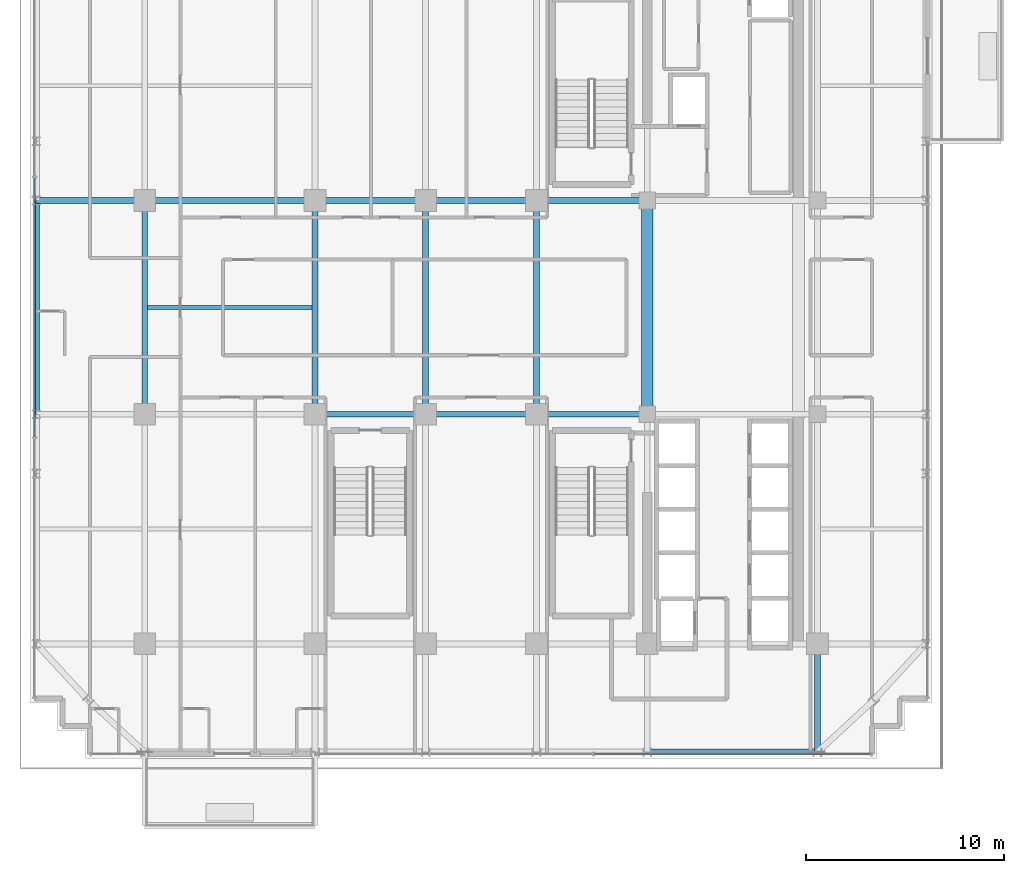
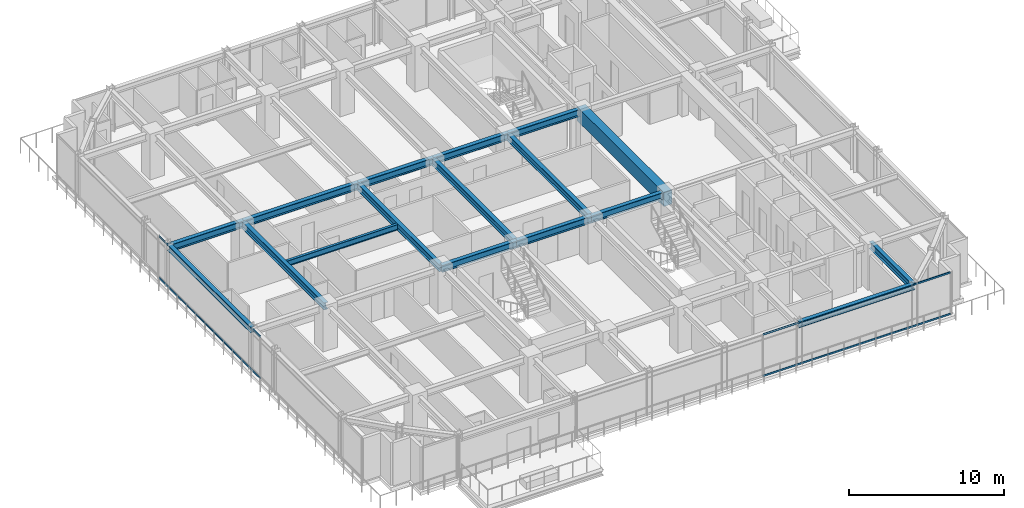
# One storey, part 8 of 33: 17 beams, 4 members, 2 elements without a shape of their own.
"""IFC4 building model written with IfcOpenShell, lengths in metres."""

from ifc_helpers import new_model, si_unit, direction, frame, origin, origin_2d, place, context, subcontext, project, spatial, rectangle, hollow_rectangle, i_section, extrude, source, transform, mapped, material, material_profile, profile_set, type_object, element, aggregate, save


model = new_model("IFC4")

# Units and contexts
model_context = context("Model", 3, precision=1e-05, world=origin(), true_north=direction((0.0, 1.0)))
body_context = subcontext(model_context, "Body", "Model", "MODEL_VIEW")
ifc_project = project(units=[si_unit("LENGTHUNIT", "METRE"), si_unit("AREAUNIT", "SQUARE_METRE"), si_unit("VOLUMEUNIT", "CUBIC_METRE"), si_unit("PLANEANGLEUNIT", "RADIAN"), si_unit("MASSUNIT", "GRAM", prefix="KILO")], contexts=[model_context])

# Site, building, storey
site_placement = place(None, origin())
site = spatial("IfcSite", under=ifc_project, at=site_placement, CompositionType="ELEMENT")
building_placement = place(site_placement, origin())
building = spatial("IfcBuilding", under=site, at=building_placement, Name="Nahalor Promenade Grand Hotel", CompositionType="ELEMENT")
storey_placement = place(building_placement, frame((0.0, 0.0, 149.0)))
storey = spatial("IfcBuildingStorey", under=building, at=storey_placement, Name="L37", CompositionType="ELEMENT", Elevation=149.0)

# Beams
ifc_material_1 = material(Name="Concrete B-60 (C50/60)", Category="concrete")
ifc_material_profile_1 = material_profile(ifc_material_1, rectangle(XDim=0.6, YDim=1.1, at=origin_2d()), Name="RC 600x1100")
ifc_profile_set_1 = profile_set([ifc_material_profile_1], Name="Concrete B-60 (C50/60)")
beam_type_1 = type_object("IfcBeamType", Name="Beam-Lintel-RC1100", PredefinedType="LINTEL", material=ifc_profile_set_1)
shared_shape_1 = source(origin(), body_context, "Body", "SweptSolid", [
    extrude(rectangle(XDim=0.6, YDim=1.1, at=origin_2d()), origin(), (0.0, 0.0, 1.0), 11.2001953125),
])
beam_1_placement = place(storey_placement, frame((8.39990234375, -5.60009765625, 2.840087890625), z_axis=(0.0, 1.0, 0.0), x_axis=(-1.0, 0.0, 0.0)))
element("IfcBeam", 1, at=beam_1_placement, inside=storey, type_object=beam_type_1, Name="BM-L37-LINT-W", PredefinedType="LINTEL", context=body_context, shape_type="MappedRepresentation", body=[
    mapped(shared_shape_1, transform((0.0, 0.0, 0.0), scale=1.0)),
])
ifc_material_2 = material(Name="Steel S355JR", Category="steel")
ifc_material_profile_2 = material_profile(ifc_material_2, i_section(OverallWidth=0.3, OverallDepth=0.55, WebThickness=0.015, FlangeThickness=0.029, at=origin_2d()), Name="HEB 550")
ifc_profile_set_2 = profile_set([ifc_material_profile_2], Name="Steel S355JR")
beam_type_2 = type_object("IfcBeamType", Name="Beam-Girder-HEB550", PredefinedType="BEAM", material=ifc_profile_set_2)
shared_shape_2 = source(origin(), body_context, "Body", "SweptSolid", [
    extrude(i_section(OverallWidth=0.3, OverallDepth=0.55, WebThickness=0.015, FlangeThickness=0.029, at=origin_2d()), origin(), (0.0, 0.0, 1.0), 8.60009765625),
])
beam_2_placement = place(storey_placement, frame((-17.0, 5.39990234375, 3.114990234375), z_axis=(1.0, 0.0, 0.0), x_axis=(0.0, 1.0, 0.0)))
element("IfcBeam", 2, at=beam_2_placement, inside=storey, type_object=beam_type_2, Name="BM-L37-GX-2-1", PredefinedType="BEAM", context=body_context, shape_type="MappedRepresentation", body=[
    mapped(shared_shape_2, transform((0.0, 0.0, 0.0), scale=1.0)),
])
shared_shape_3 = source(origin(), body_context, "Body", "SweptSolid", [
    extrude(i_section(OverallWidth=0.3, OverallDepth=0.55, WebThickness=0.015, FlangeThickness=0.029, at=origin_2d()), origin(), (0.0, 0.0, 1.0), 5.599853515625),
])
for number, where, z_axis, x_axis, name in (
    (3, (-8.39990234375, -5.39990234375, 3.114990234375), (1.0, 0.0, 0.0), (0.0, 1.0, 0.0), "BM-L37-GX-1-2"),
    (4, (2.800048828125, -5.39990234375, 3.114990234375), (1.0, 0.0, 0.0), (0.0, 1.0, 0.0), "BM-L37-GX-1-4"),
    (5, (-8.39990234375, 5.39990234375, 3.114990234375), (1.0, 0.0, 0.0), (0.0, 1.0, 0.0), "BM-L37-GX-2-2"),
    (6, (2.800048828125, 5.39990234375, 3.114990234375), (1.0, 0.0, 0.0), (0.0, 1.0, 0.0), "BM-L37-GX-2-4"),
):
    element("IfcBeam", number, at=place(storey_placement, frame(where, z_axis=z_axis, x_axis=x_axis)), inside=storey, type_object=beam_type_2, Name=name, PredefinedType="BEAM", context=body_context, shape_type="MappedRepresentation", body=[
        mapped(shared_shape_3, transform((0.0, 0.0, 0.0), scale=1.0)),
    ])
shared_shape_4 = source(origin(), body_context, "Body", "SweptSolid", [
    extrude(i_section(OverallWidth=0.3, OverallDepth=0.55, WebThickness=0.015, FlangeThickness=0.029, at=origin_2d()), origin(), (0.0, 0.0, 1.0), 5.60009765625),
])
for number, where, z_axis, x_axis, name in (
    (7, (-2.800048828125, -5.39990234375, 3.114990234375), (1.0, 0.0, 0.0), (0.0, 1.0, 0.0), "BM-L37-GX-1-3"),
    (8, (-2.800048828125, 5.39990234375, 3.114990234375), (1.0, 0.0, 0.0), (0.0, 1.0, 0.0), "BM-L37-GX-2-3"),
):
    element("IfcBeam", number, at=place(storey_placement, frame(where, z_axis=z_axis, x_axis=x_axis)), inside=storey, type_object=beam_type_2, Name=name, PredefinedType="BEAM", context=body_context, shape_type="MappedRepresentation", body=[
        mapped(shared_shape_4, transform((0.0, 0.0, 0.0), scale=1.0)),
    ])
shared_shape_5 = source(origin(), body_context, "Body", "SweptSolid", [
    extrude(i_section(OverallWidth=0.3, OverallDepth=0.55, WebThickness=0.015, FlangeThickness=0.029, at=origin_2d()), origin(), (0.0, 0.0, 1.0), 10.7998046875),
])
for number, where, z_axis, x_axis, name in (
    (9, (-17.0, -5.39990234375, 3.114990234375), (0.0, 1.0, 0.0), (-1.0, 0.0, 0.0), "BM-L37-GY-0-2"),
    (10, (-8.39990234375, -5.39990234375, 3.114990234375), (0.0, 1.0, 0.0), (-1.0, 0.0, 0.0), "BM-L37-GY-1-2"),
    (11, (-2.800048828125, -5.39990234375, 3.114990234375), (0.0, 1.0, 0.0), (-1.0, 0.0, 0.0), "BM-L37-GY-2-2"),
    (12, (2.800048828125, -5.39990234375, 3.114990234375), (0.0, 1.0, 0.0), (-1.0, 0.0, 0.0), "BM-L37-GY-3-2"),
):
    element("IfcBeam", number, at=place(storey_placement, frame(where, z_axis=z_axis, x_axis=x_axis)), inside=storey, type_object=beam_type_2, Name=name, PredefinedType="BEAM", context=body_context, shape_type="MappedRepresentation", body=[
        mapped(shared_shape_5, transform((0.0, 0.0, 0.0), scale=1.0)),
    ])
ifc_material_profile_3 = material_profile(ifc_material_2, i_section(OverallWidth=0.19, OverallDepth=0.45, WebThickness=0.0094, FlangeThickness=0.0146, at=origin_2d()), Name="IPE 450")
ifc_profile_set_3 = profile_set([ifc_material_profile_3], Name="Steel S355JR")
beam_type_3 = type_object("IfcBeamType", Name="Beam-Joist-IPE450", PredefinedType="JOIST", material=ifc_profile_set_3)
shared_shape_6 = source(origin(), body_context, "Body", "SweptSolid", [
    extrude(i_section(OverallWidth=0.19, OverallDepth=0.45, WebThickness=0.0094, FlangeThickness=0.0146, at=origin_2d()), origin(), (0.0, 0.0, 1.0), 8.300048828125),
])
beam_3_placement = place(storey_placement, frame((-16.85009765625, 0.0, 3.1650390625), z_axis=(1.0, 0.0, 0.0), x_axis=(0.0, 1.0, 0.0)))
element("IfcBeam", 13, at=beam_3_placement, inside=storey, type_object=beam_type_3, Name="BM-L37-JSC-0", PredefinedType="JOIST", context=body_context, shape_type="MappedRepresentation", body=[
    mapped(shared_shape_6, transform((0.0, 0.0, 0.0), scale=1.0)),
])
shared_shape_7 = source(origin(), body_context, "Body", "SweptSolid", [
    extrude(i_section(OverallWidth=0.3, OverallDepth=0.55, WebThickness=0.015, FlangeThickness=0.029, at=origin_2d()), origin(), (0.0, 0.0, 1.0), 5.47998046875),
])
for number, where, z_axis, x_axis, name in (
    (14, (-22.47998046875, 5.39990234375, 3.114990234375), (1.0, 0.0, 0.0), (0.0, 1.0, 0.0), "BM-L37-GX-2-0"),
    (15, (17.0, -22.47998046875, 3.114990234375), (0.0, 1.0, 0.0), (-1.0, 0.0, 0.0), "BM-L37-GY-5-0"),
):
    element("IfcBeam", number, at=place(storey_placement, frame(where, z_axis=z_axis, x_axis=x_axis)), inside=storey, type_object=beam_type_2, Name=name, PredefinedType="BEAM", context=body_context, shape_type="MappedRepresentation", body=[
        mapped(shared_shape_7, transform((0.0, 0.0, 0.0), scale=1.0)),
    ])
ifc_material_profile_4 = material_profile(ifc_material_2, i_section(OverallWidth=0.3, OverallDepth=0.45, WebThickness=0.014, FlangeThickness=0.026, at=origin_2d()), Name="HEB 450")
ifc_profile_set_4 = profile_set([ifc_material_profile_4], Name="Steel S355JR")
beam_type_4 = type_object("IfcBeamType", Name="Beam-Spandrel-HEB450", PredefinedType="SPANDREL", material=ifc_profile_set_4)
shared_shape_8 = source(origin(), body_context, "Body", "SweptSolid", [
    extrude(i_section(OverallWidth=0.3, OverallDepth=0.45, WebThickness=0.014, FlangeThickness=0.026, at=origin_2d()), origin(), (0.0, 0.0, 1.0), 8.60009765625),
])
beam_4_placement = place(storey_placement, frame((8.39990234375, -22.47998046875, 3.1650390625), z_axis=(1.0, 0.0, 0.0), x_axis=(0.0, 1.0, 0.0)))
element("IfcBeam", 16, at=beam_4_placement, inside=storey, type_object=beam_type_4, Name="BM-L37-SP-S-4", PredefinedType="SPANDREL", context=body_context, shape_type="MappedRepresentation", body=[
    mapped(shared_shape_8, transform((0.0, 0.0, 0.0), scale=1.0)),
])
shared_shape_9 = source(origin(), body_context, "Body", "SweptSolid", [
    extrude(i_section(OverallWidth=0.3, OverallDepth=0.45, WebThickness=0.014, FlangeThickness=0.026, at=origin_2d()), origin(), (0.0, 0.0, 1.0), 10.7998046875),
])
beam_5_placement = place(storey_placement, frame((-22.47998046875, -5.39990234375, 3.1650390625), z_axis=(0.0, 1.0, 0.0), x_axis=(-1.0, 0.0, 0.0)))
element("IfcBeam", 17, at=beam_5_placement, inside=storey, type_object=beam_type_4, Name="BM-L37-SP-W-2", PredefinedType="SPANDREL", context=body_context, shape_type="MappedRepresentation", body=[
    mapped(shared_shape_9, transform((0.0, 0.0, 0.0), scale=1.0)),
])

# Curtain wall, members
ifc_material_3 = material(Name="Anodised Bronze Aluminium EN AW-6063 T6", Category="aluminium")
curtain_wall_type = type_object("IfcCurtainWallType", Name="CW2 Typical Hotel Flush Bronze Unitised Curtain Wall", PredefinedType="USERDEFINED", material=ifc_material_3)
curtain_wall_1_placement = place(storey_placement, origin())
curtain_wall_1 = element("IfcCurtainWall", 18, at=curtain_wall_1_placement, inside=storey, type_object=curtain_wall_type, Name="L37 Curtain Wall CW-L37-S-3", ObjectType="UNITISED_CURTAIN_WALL", PredefinedType="USERDEFINED")
ifc_material_profile_5 = material_profile(ifc_material_3, hollow_rectangle(XDim=0.065, YDim=0.13, WallThickness=0.004, at=origin_2d()), Name="CWT 65x130x4")
ifc_profile_set_5 = profile_set([ifc_material_profile_5], Name="Anodised Bronze Aluminium EN AW-6063 T6")
member_type = type_object("IfcMemberType", Name="CWT2 Typical Bronze Transom 65x130", PredefinedType="USERDEFINED", material=ifc_profile_set_5)
shared_shape_10 = source(origin(), body_context, "Body", "SweptSolid", [
    extrude(hollow_rectangle(XDim=0.065, YDim=0.13, WallThickness=0.004, at=origin_2d()), origin(), (0.0, 0.0, 1.0), 13.982666015625),
])
member_1_placement = place(storey_placement, frame((5.71240234375, -22.56005859375, 0.06494140625), z_axis=(1.0, 0.0, 0.0), x_axis=(0.0, 1.0, 0.0)))
member_1 = element("IfcMember", 19, at=member_1_placement, type_object=member_type, Name="CW-L37-S-3 Transom 1-0", ObjectType="TRANSOM", PredefinedType="USERDEFINED", context=body_context, shape_type="MappedRepresentation", body=[
    mapped(shared_shape_10, transform((0.0, 0.0, 0.0), scale=1.0)),
])
member_2_placement = place(storey_placement, frame((5.71240234375, -22.56005859375, 3.324951171875), z_axis=(1.0, 0.0, 0.0), x_axis=(0.0, 1.0, 0.0)))
member_2 = element("IfcMember", 20, at=member_2_placement, type_object=member_type, Name="CW-L37-S-3 Transom 1-1", ObjectType="TRANSOM", PredefinedType="USERDEFINED", context=body_context, shape_type="MappedRepresentation", body=[
    mapped(shared_shape_10, transform((0.0, 0.0, 0.0), scale=1.0)),
])
aggregate(curtain_wall_1, [member_1, member_2])

curtain_wall_2_placement = place(storey_placement, origin())
curtain_wall_2 = element("IfcCurtainWall", 21, at=curtain_wall_2_placement, inside=storey, type_object=curtain_wall_type, Name="L37 Curtain Wall CW-L37-W-1", ObjectType="UNITISED_CURTAIN_WALL", PredefinedType="USERDEFINED")
shared_shape_11 = source(origin(), body_context, "Body", "SweptSolid", [
    extrude(hollow_rectangle(XDim=0.065, YDim=0.13, WallThickness=0.004, at=origin_2d()), origin(), (0.0, 0.0, 1.0), 13.1083984375),
])
member_3_placement = place(storey_placement, frame((-22.56005859375, -6.55419921875, 0.06494140625), z_axis=(0.0, 1.0, 0.0), x_axis=(-1.0, 0.0, 0.0)))
member_3 = element("IfcMember", 22, at=member_3_placement, type_object=member_type, Name="CW-L37-W-1 Transom 1-0", ObjectType="TRANSOM", PredefinedType="USERDEFINED", context=body_context, shape_type="MappedRepresentation", body=[
    mapped(shared_shape_11, transform((0.0, 0.0, 0.0), scale=1.0)),
])
member_4_placement = place(storey_placement, frame((-22.56005859375, -6.55419921875, 3.324951171875), z_axis=(0.0, 1.0, 0.0), x_axis=(-1.0, 0.0, 0.0)))
member_4 = element("IfcMember", 23, at=member_4_placement, type_object=member_type, Name="CW-L37-W-1 Transom 1-1", ObjectType="TRANSOM", PredefinedType="USERDEFINED", context=body_context, shape_type="MappedRepresentation", body=[
    mapped(shared_shape_11, transform((0.0, 0.0, 0.0), scale=1.0)),
])
aggregate(curtain_wall_2, [member_3, member_4])

save(model, "model.ifc")
